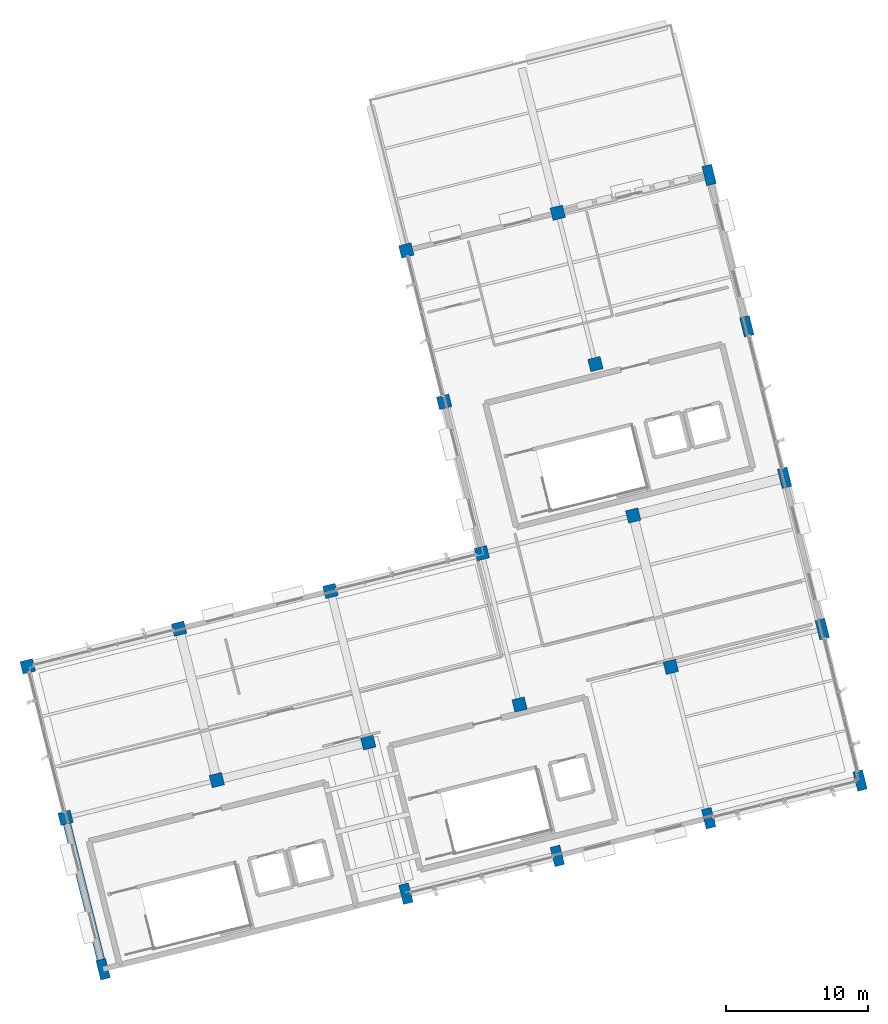
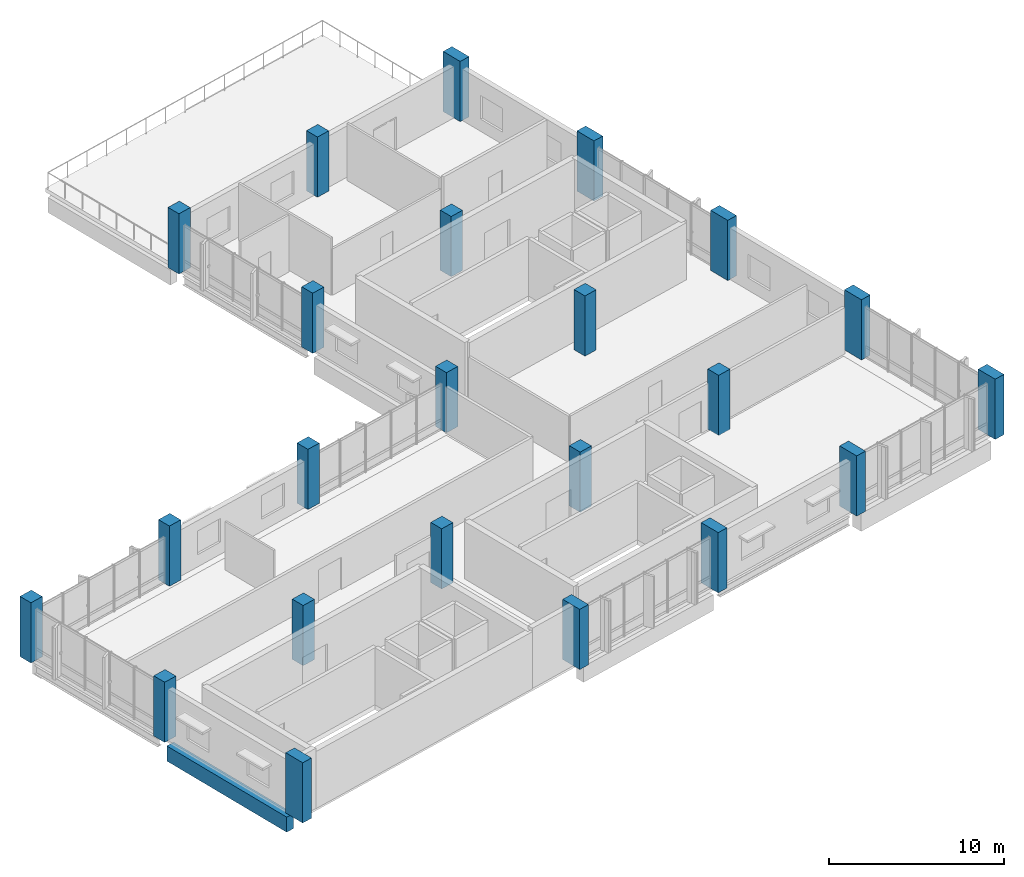
# One storey, part 1 of 22: 23 columns, 1 beam.
"""IFC4 building model written with IfcOpenShell, lengths in metres."""

from ifc_helpers import new_model, si_unit, direction, frame, origin, origin_2d, place, context, subcontext, project, spatial, rectangle, extrude, material, material_profile, profile_set, type_object, element, save


model = new_model("IFC4")

# Units and contexts
model_context = context("Model", 3, precision=1e-05, world=origin(), true_north=direction((0.0, 1.0)))
body_context = subcontext(model_context, "Body", "Model", "MODEL_VIEW")
ifc_project = project(units=[si_unit("LENGTHUNIT", "METRE"), si_unit("AREAUNIT", "SQUARE_METRE"), si_unit("VOLUMEUNIT", "CUBIC_METRE"), si_unit("PLANEANGLEUNIT", "RADIAN"), si_unit("MASSUNIT", "GRAM", prefix="KILO")], contexts=[model_context])

# Site, building, storey
site_placement = place(None, origin())
site = spatial("IfcSite", under=ifc_project, at=site_placement, CompositionType="ELEMENT")
building_placement = place(site_placement, origin())
building = spatial("IfcBuilding", under=site, at=building_placement, Name="Khorjan Park Terminus", CompositionType="ELEMENT")
storey_placement = place(building_placement, frame((0.0, 0.0, 24.6)))
storey = spatial("IfcBuildingStorey", under=building, at=storey_placement, Name="L05", CompositionType="ELEMENT", Elevation=24.6)

# Columns
ifc_material_1 = material(Name="Concrete C50/60", Category="concrete")
ifc_material_profile_1 = material_profile(ifc_material_1, rectangle(XDim=0.7, YDim=1.4, at=origin_2d()), Name="RC 700x1400")
ifc_profile_set_1 = profile_set([ifc_material_profile_1], Name="Concrete C50/60")
column_type_1 = type_object("IfcColumnType", Name="COL-BL1400E", PredefinedType="COLUMN", material=ifc_profile_set_1)
for number, where, z_axis, x_axis, name in (
    (1, (176.673, 4.661, 0.0), (0.0, 0.0, 1.0), (0.970295726276, 0.2419218956, 0.0), "Structural column C-BL14 (L05 #692)"),
    (2, (198.02, 9.983, 0.0), (0.0, 0.0, 1.0), (0.970295726276, 0.2419218956, 0.0), "Structural column C-BL14 (L05 #755)"),
    (3, (208.693, 12.645, 0.0), (0.0, 0.0, 1.0), (0.970295726276, 0.2419218956, 0.0), "Structural column C-BL14 (L05 #796)"),
    (4, (219.366, 15.306, 0.0), (0.0, 0.0, 1.0), (0.970295726276, 0.2419218956, 0.0), "Structural column C-BL14 (L05 #842)"),
    (5, (230.04, 17.967, 0.0), (0.0, 0.0, 1.0), (0.970295726276, 0.2419218956, 0.0), "Structural column C-BL14 (L05 #888)"),
    (6, (227.378, 28.64, 0.0), (0.0, 0.0, 1.0), (0.970295726276, 0.2419218956, 0.0), "Structural column C-BL14 (L05 #895)"),
    (7, (224.717, 39.313, 0.0), (0.0, 0.0, 1.0), (0.970295726276, 0.2419218956, 0.0), "Structural column C-BL14 (L05 #902)"),
    (8, (222.056, 49.987, 0.0), (0.0, 0.0, 1.0), (0.970295726276, 0.2419218956, 0.0), "Structural column C-BL14 (L05 #909)"),
    (9, (219.395, 60.66, 0.0), (0.0, 0.0, 1.0), (0.970295726276, 0.2419218956, 0.0), "Structural column C-BL14 (L05 #916)"),
):
    element("IfcColumn", number, at=place(storey_placement, frame(where, z_axis=z_axis, x_axis=x_axis)), inside=storey, type_object=column_type_1, Name=name, PredefinedType="COLUMN", context=body_context, shape_type="SweptSolid", body=[
        extrude(rectangle(XDim=0.7, YDim=1.4, at=origin_2d()), origin(), (0.0, 0.0, 1.0), 4.2),
    ])
ifc_material_profile_2 = material_profile(ifc_material_1, rectangle(XDim=0.9, YDim=0.9, at=origin_2d()), Name="RC 900x900")
ifc_profile_set_2 = profile_set([ifc_material_profile_2], Name="Concrete C50/60")
column_type_2 = type_object("IfcColumnType", Name="COL-RC900", PredefinedType="COLUMN", material=ifc_profile_set_2)
for number, where, z_axis, x_axis, name in (
    (10, (174.012, 15.334, 0.0), (0.0, 0.0, 1.0), (0.970295726276, 0.2419218956, 0.0), "Structural column C-RC09 (L05 #699)"),
    (11, (171.351, 26.008, 0.0), (0.0, 0.0, 1.0), (0.970295726276, 0.2419218956, 0.0), "Structural column C-RC09 (L05 #706)"),
    (12, (184.685, 17.995, 0.0), (0.0, 0.0, 1.0), (0.970295726276, 0.2419218956, 0.0), "Structural column C-RC09 (L05 #725)"),
    (13, (182.024, 28.669, 0.0), (0.0, 0.0, 1.0), (0.970295726276, 0.2419218956, 0.0), "Structural column C-RC09 (L05 #732)"),
    (14, (195.359, 20.657, 0.0), (0.0, 0.0, 1.0), (0.970295726276, 0.2419218956, 0.0), "Structural column C-RC09 (L05 #762)"),
    (15, (192.697, 31.33, 0.0), (0.0, 0.0, 1.0), (0.970295726276, 0.2419218956, 0.0), "Structural column C-RC09 (L05 #769)"),
    (16, (206.032, 23.318, 0.0), (0.0, 0.0, 1.0), (0.970295726276, 0.2419218956, 0.0), "Structural column C-RC09 (L05 #803)"),
    (17, (203.371, 33.991, 0.0), (0.0, 0.0, 1.0), (0.970295726276, 0.2419218956, 0.0), "Structural column C-RC09 (L05 #810)"),
    (18, (200.71, 44.664, 0.0), (0.0, 0.0, 1.0), (0.970295726276, 0.2419218956, 0.0), "Structural column C-RC09 (L05 #817)"),
    (19, (198.048, 55.338, 0.0), (0.0, 0.0, 1.0), (0.970295726276, 0.2419218956, 0.0), "Structural column C-RC09 (L05 #824)"),
    (20, (216.705, 25.979, 0.0), (0.0, 0.0, 1.0), (0.970295726276, 0.2419218956, 0.0), "Structural column C-RC09 (L05 #849)"),
    (21, (214.044, 36.652, 0.0), (0.0, 0.0, 1.0), (0.970295726276, 0.2419218956, 0.0), "Structural column C-RC09 (L05 #856)"),
    (22, (211.383, 47.325, 0.0), (0.0, 0.0, 1.0), (0.970295726276, 0.2419218956, 0.0), "Structural column C-RC09 (L05 #863)"),
    (23, (208.722, 57.999, 0.0), (0.0, 0.0, 1.0), (0.970295726276, 0.2419218956, 0.0), "Structural column C-RC09 (L05 #870)"),
):
    element("IfcColumn", number, at=place(storey_placement, frame(where, z_axis=z_axis, x_axis=x_axis)), inside=storey, type_object=column_type_2, Name=name, PredefinedType="COLUMN", context=body_context, shape_type="SweptSolid", body=[
        extrude(rectangle(XDim=0.9, YDim=0.9, at=origin_2d()), origin(), (0.0, 0.0, 1.0), 4.2),
    ])

# Beam
ifc_material_2 = material(Name="Concrete C40/50", Category="concrete")
ifc_material_profile_3 = material_profile(ifc_material_2, rectangle(XDim=0.55, YDim=1.05, at=origin_2d()), Name="RC 550x1050")
ifc_profile_set_3 = profile_set([ifc_material_profile_3], Name="Concrete C40/50")
beam_type = type_object("IfcBeamType", Name="BM-RC550x1050", PredefinedType="BEAM", material=ifc_profile_set_3)
beam_placement = place(storey_placement, frame((176.5051, 5.3355, -0.855), z_axis=(-0.241917509425, 0.970296819862, 0.0), x_axis=(-0.970296819862, -0.241917509425, 0.0)))
element("IfcBeam", 24, at=beam_placement, inside=storey, type_object=beam_type, Name="Primary skew-grid floor girder GB-105 (L05)", PredefinedType="BEAM", context=body_context, shape_type="SweptSolid", body=[
    extrude(rectangle(XDim=0.55, YDim=1.05, at=origin_2d()), origin(), (0.0, 0.0, 1.0), 9.86),
])

save(model, "model.ifc")
